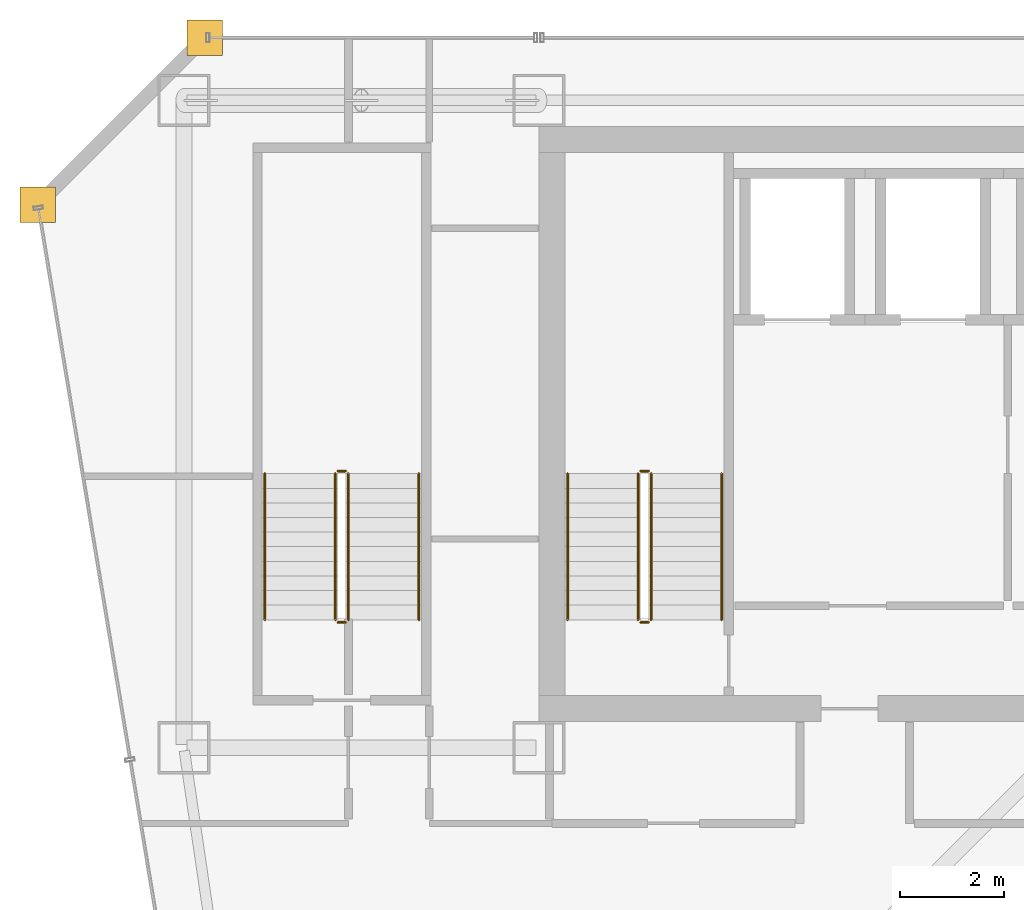
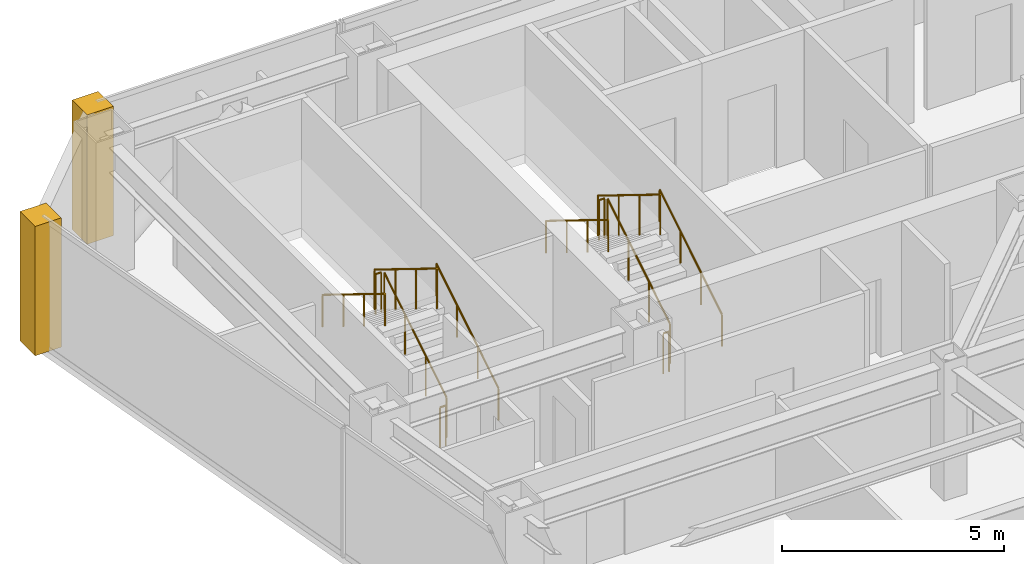
# One storey, part 35 of 36: 12 railings, 2 coverings.
"""IFC4 building model written with IfcOpenShell, lengths in metres."""

from ifc_helpers import new_model, si_unit, direction, frame, origin, origin_2d, place, context, subcontext, project, spatial, polyline, circle, outline, extrude, material, layer, layer_set, type_object, element, save


model = new_model("IFC4")

# Units and contexts
model_context = context("Model", 3, precision=1e-05, world=origin(), true_north=direction((0.0, 1.0)))
body_context = subcontext(model_context, "Body", "Model", "MODEL_VIEW")
ifc_project = project(units=[si_unit("LENGTHUNIT", "METRE"), si_unit("AREAUNIT", "SQUARE_METRE"), si_unit("VOLUMEUNIT", "CUBIC_METRE"), si_unit("PLANEANGLEUNIT", "RADIAN"), si_unit("MASSUNIT", "GRAM", prefix="KILO")], contexts=[model_context])

# Site, building, storey
site_placement = place(None, origin())
site = spatial("IfcSite", under=ifc_project, at=site_placement, CompositionType="ELEMENT")
building_placement = place(site_placement, origin())
building = spatial("IfcBuilding", under=site, at=building_placement, Name="Saevonmaru Cultural Tower", CompositionType="ELEMENT")
storey_placement = place(building_placement, frame((0.0, 0.0, 148.60009765625)))
storey = spatial("IfcBuildingStorey", under=building, at=storey_placement, Name="L32", CompositionType="ELEMENT", Elevation=148.60009765625)

# Coverings
ifc_material_1 = material(Name="Satin Bronze Anodised Aluminium", Category="aluminium")
ifc_layer = layer(ifc_material_1, 0.679931640625, Name="Satin Bronze Anodised Aluminium")
ifc_layer_set = layer_set([ifc_layer], Name="Satin Bronze Anodised Aluminium")
covering_type = type_object("IfcCoveringType", Name="CV-CORNER-CLAD", PredefinedType="CLADDING", material=ifc_layer_set)
covering_1_placement = place(storey_placement, origin())
element("IfcCovering", 1, at=covering_1_placement, inside=storey, type_object=covering_type, Name="L32 Tower Bronze Corner Cladding Pier 11", PredefinedType="CLADDING", context=body_context, shape_type="SweptSolid", body=[
    extrude(outline(polyline([(6.860107421875, 55.659912109375), (7.5400390625, 55.659912109375), (7.5400390625, 56.340087890625), (6.860107421875, 56.340087890625), (6.860107421875, 55.659912109375)])), origin(), (0.0, 0.0, 1.0), 3.5498046875),
])
covering_2_placement = place(storey_placement, origin())
element("IfcCovering", 2, at=covering_2_placement, inside=storey, type_object=covering_type, Name="L32 Tower Bronze Corner Cladding Pier 12", PredefinedType="CLADDING", context=body_context, shape_type="SweptSolid", body=[
    extrude(outline(polyline([(3.659912109375, 52.4599609375), (4.340087890625, 52.4599609375), (4.340087890625, 53.139892578125), (3.659912109375, 53.139892578125), (3.659912109375, 52.4599609375)])), origin(), (0.0, 0.0, 1.0), 3.5498046875),
])

# Railings
ifc_material_2 = material(Name="Architectural Painted Steel", Category="steel")
railing_type_1 = type_object("IfcRailingType", Name="RL-STAIR-GUARD", PredefinedType="GUARDRAIL", material=ifc_material_2)
railing_1_placement = place(storey_placement, frame((15.75, 44.85009765625, 0.172607421875)))
element("IfcRailing", 3, at=railing_1_placement, inside=storey, type_object=railing_type_1, Name="L32 ST-1 stair guard 1", PredefinedType="GUARDRAIL", context=body_context, shape_type="SweptSolid", body=[
    extrude(circle(Radius=0.02392578125, at=origin_2d()), frame((0.0, 0.0, 1.09619140625), z_axis=(0.0, 0.851069175582, 0.525053576669), x_axis=(-1.0, 0.0, 0.0)), (0.0, 0.0, 1.0), 3.289794921875),
    extrude(circle(Radius=0.02099609375, at=origin_2d()), origin(), (0.0, 0.0, 1.0), 1.072021484375),
    extrude(circle(Radius=0.02099609375, at=origin_2d()), frame((0.0, 0.933349609375, 0.57568359375)), (0.0, 0.0, 1.0), 1.072021484375),
    extrude(circle(Radius=0.02099609375, at=origin_2d()), frame((0.0, 1.866455078125, 1.151611328125)), (0.0, 0.0, 1.0), 1.072021484375),
    extrude(circle(Radius=0.02099609375, at=origin_2d()), frame((0.0, 2.7998046875, 1.727294921875)), (0.0, 0.0, 1.0), 1.072021484375),
])
railing_2_placement = place(storey_placement, frame((15.699951171875, 47.699951171875, 1.89990234375)))
element("IfcRailing", 4, at=railing_2_placement, inside=storey, type_object=railing_type_1, Name="L32 ST-1 stair guard 2", PredefinedType="GUARDRAIL", context=body_context, shape_type="SweptSolid", body=[
    extrude(circle(Radius=0.02392578125, at=origin_2d()), frame((0.0, 0.0, 1.09619140625), z_axis=(-1.0, 0.0, 0.0), x_axis=(0.0, -1.0, 0.0)), (0.0, 0.0, 1.0), 0.14990234375),
    extrude(circle(Radius=0.02099609375, at=origin_2d()), origin(), (0.0, 0.0, 1.0), 1.072021484375),
    extrude(circle(Radius=0.02099609375, at=origin_2d()), frame((-0.14990234375, 0.0, 0.0)), (0.0, 0.0, 1.0), 1.072021484375),
])
railing_3_placement = place(storey_placement, frame((15.5, 47.64990234375, 2.072509765625)))
element("IfcRailing", 5, at=railing_3_placement, inside=storey, type_object=railing_type_1, Name="L32 ST-1 stair guard 3", PredefinedType="GUARDRAIL", context=body_context, shape_type="SweptSolid", body=[
    extrude(circle(Radius=0.02392578125, at=origin_2d()), frame((0.0, 0.0, 1.09619140625), z_axis=(0.0, -0.851069175582, 0.525053576669), x_axis=(1.0, 0.0, 0.0)), (0.0, 0.0, 1.0), 3.289794921875),
    extrude(circle(Radius=0.02099609375, at=origin_2d()), origin(), (0.0, 0.0, 1.0), 1.072021484375),
    extrude(circle(Radius=0.02099609375, at=origin_2d()), frame((0.0, -0.933349609375, 0.57568359375)), (0.0, 0.0, 1.0), 1.072021484375),
    extrude(circle(Radius=0.02099609375, at=origin_2d()), frame((0.0, -1.866455078125, 1.151611328125)), (0.0, 0.0, 1.0), 1.072021484375),
    extrude(circle(Radius=0.02099609375, at=origin_2d()), frame((0.0, -2.7998046875, 1.727294921875)), (0.0, 0.0, 1.0), 1.072021484375),
])
railing_4_placement = place(storey_placement, frame((15.699951171875, 44.800048828125, 0.0)))
element("IfcRailing", 6, at=railing_4_placement, inside=storey, type_object=railing_type_1, Name="L32 ST-1 stair guard 4", PredefinedType="GUARDRAIL", context=body_context, shape_type="SweptSolid", body=[
    extrude(circle(Radius=0.02392578125, at=origin_2d()), frame((0.0, 0.0, 1.09619140625), z_axis=(-1.0, 0.0, 0.0), x_axis=(0.0, -1.0, 0.0)), (0.0, 0.0, 1.0), 0.14990234375),
    extrude(circle(Radius=0.02099609375, at=origin_2d()), origin(), (0.0, 0.0, 1.0), 1.072021484375),
    extrude(circle(Radius=0.02099609375, at=origin_2d()), frame((-0.14990234375, 0.0, 0.0)), (0.0, 0.0, 1.0), 1.072021484375),
])
railing_5_placement = place(storey_placement, frame((9.949951171875, 44.85009765625, 0.172607421875)))
element("IfcRailing", 7, at=railing_5_placement, inside=storey, type_object=railing_type_1, Name="L32 ST-3 stair guard 1", PredefinedType="GUARDRAIL", context=body_context, shape_type="SweptSolid", body=[
    extrude(circle(Radius=0.02392578125, at=origin_2d()), frame((0.0, 0.0, 1.09619140625), z_axis=(0.0, 0.851069175582, 0.525053576669), x_axis=(-1.0, 0.0, 0.0)), (0.0, 0.0, 1.0), 3.289794921875),
    extrude(circle(Radius=0.02099609375, at=origin_2d()), origin(), (0.0, 0.0, 1.0), 1.072021484375),
    extrude(circle(Radius=0.02099609375, at=origin_2d()), frame((0.0, 0.933349609375, 0.57568359375)), (0.0, 0.0, 1.0), 1.072021484375),
    extrude(circle(Radius=0.02099609375, at=origin_2d()), frame((0.0, 1.866455078125, 1.151611328125)), (0.0, 0.0, 1.0), 1.072021484375),
    extrude(circle(Radius=0.02099609375, at=origin_2d()), frame((0.0, 2.7998046875, 1.727294921875)), (0.0, 0.0, 1.0), 1.072021484375),
])
railing_6_placement = place(storey_placement, frame((9.89990234375, 47.699951171875, 1.89990234375)))
element("IfcRailing", 8, at=railing_6_placement, inside=storey, type_object=railing_type_1, Name="L32 ST-3 stair guard 2", PredefinedType="GUARDRAIL", context=body_context, shape_type="SweptSolid", body=[
    extrude(circle(Radius=0.02392578125, at=origin_2d()), frame((0.0, 0.0, 1.09619140625), z_axis=(-1.0, 0.0, 0.0), x_axis=(0.0, -1.0, 0.0)), (0.0, 0.0, 1.0), 0.14990234375),
    extrude(circle(Radius=0.02099609375, at=origin_2d()), origin(), (0.0, 0.0, 1.0), 1.072021484375),
    extrude(circle(Radius=0.02099609375, at=origin_2d()), frame((-0.14990234375, 0.0, 0.0)), (0.0, 0.0, 1.0), 1.072021484375),
])
railing_7_placement = place(storey_placement, frame((9.699951171875, 47.64990234375, 2.072509765625)))
element("IfcRailing", 9, at=railing_7_placement, inside=storey, type_object=railing_type_1, Name="L32 ST-3 stair guard 3", PredefinedType="GUARDRAIL", context=body_context, shape_type="SweptSolid", body=[
    extrude(circle(Radius=0.02392578125, at=origin_2d()), frame((0.0, 0.0, 1.09619140625), z_axis=(0.0, -0.851069175582, 0.525053576669), x_axis=(1.0, 0.0, 0.0)), (0.0, 0.0, 1.0), 3.289794921875),
    extrude(circle(Radius=0.02099609375, at=origin_2d()), origin(), (0.0, 0.0, 1.0), 1.072021484375),
    extrude(circle(Radius=0.02099609375, at=origin_2d()), frame((0.0, -0.933349609375, 0.57568359375)), (0.0, 0.0, 1.0), 1.072021484375),
    extrude(circle(Radius=0.02099609375, at=origin_2d()), frame((0.0, -1.866455078125, 1.151611328125)), (0.0, 0.0, 1.0), 1.072021484375),
    extrude(circle(Radius=0.02099609375, at=origin_2d()), frame((0.0, -2.7998046875, 1.727294921875)), (0.0, 0.0, 1.0), 1.072021484375),
])
railing_8_placement = place(storey_placement, frame((9.89990234375, 44.800048828125, 0.0)))
element("IfcRailing", 10, at=railing_8_placement, inside=storey, type_object=railing_type_1, Name="L32 ST-3 stair guard 4", PredefinedType="GUARDRAIL", context=body_context, shape_type="SweptSolid", body=[
    extrude(circle(Radius=0.02392578125, at=origin_2d()), frame((0.0, 0.0, 1.09619140625), z_axis=(-1.0, 0.0, 0.0), x_axis=(0.0, -1.0, 0.0)), (0.0, 0.0, 1.0), 0.14990234375),
    extrude(circle(Radius=0.02099609375, at=origin_2d()), origin(), (0.0, 0.0, 1.0), 1.072021484375),
    extrude(circle(Radius=0.02099609375, at=origin_2d()), frame((-0.14990234375, 0.0, 0.0)), (0.0, 0.0, 1.0), 1.072021484375),
])
railing_type_2 = type_object("IfcRailingType", Name="RL-STAIR-HANDRAIL", PredefinedType="HANDRAIL", material=ifc_material_1)
railing_9_placement = place(storey_placement, frame((17.10009765625, 44.85009765625, 0.172607421875)))
element("IfcRailing", 11, at=railing_9_placement, inside=storey, type_object=railing_type_2, Name="L32 ST-1 stair handrail 1", PredefinedType="HANDRAIL", context=body_context, shape_type="SweptSolid", body=[
    extrude(circle(Radius=0.02392578125, at=origin_2d()), frame((0.0, 0.0, 0.8759765625), z_axis=(0.0, 0.851069175582, 0.525053576669), x_axis=(-1.0, 0.0, 0.0)), (0.0, 0.0, 1.0), 3.289794921875),
    extrude(circle(Radius=0.02099609375, at=origin_2d()), origin(), (0.0, 0.0, 1.0), 0.851806640625),
    extrude(circle(Radius=0.02099609375, at=origin_2d()), frame((0.0, 0.933349609375, 0.57568359375)), (0.0, 0.0, 1.0), 0.851806640625),
    extrude(circle(Radius=0.02099609375, at=origin_2d()), frame((0.0, 1.866455078125, 1.151611328125)), (0.0, 0.0, 1.0), 0.851806640625),
    extrude(circle(Radius=0.02099609375, at=origin_2d()), frame((0.0, 2.7998046875, 1.727294921875)), (0.0, 0.0, 1.0), 0.851806640625),
])
railing_10_placement = place(storey_placement, frame((14.14990234375, 47.64990234375, 2.072509765625)))
element("IfcRailing", 12, at=railing_10_placement, inside=storey, type_object=railing_type_2, Name="L32 ST-1 stair handrail 2", PredefinedType="HANDRAIL", context=body_context, shape_type="SweptSolid", body=[
    extrude(circle(Radius=0.02392578125, at=origin_2d()), frame((0.0, 0.0, 0.8759765625), z_axis=(0.0, -0.851069175582, 0.525053576669), x_axis=(1.0, 0.0, 0.0)), (0.0, 0.0, 1.0), 3.289794921875),
    extrude(circle(Radius=0.02099609375, at=origin_2d()), origin(), (0.0, 0.0, 1.0), 0.851806640625),
    extrude(circle(Radius=0.02099609375, at=origin_2d()), frame((0.0, -0.933349609375, 0.57568359375)), (0.0, 0.0, 1.0), 0.851806640625),
    extrude(circle(Radius=0.02099609375, at=origin_2d()), frame((0.0, -1.866455078125, 1.151611328125)), (0.0, 0.0, 1.0), 0.851806640625),
    extrude(circle(Radius=0.02099609375, at=origin_2d()), frame((0.0, -2.7998046875, 1.727294921875)), (0.0, 0.0, 1.0), 0.851806640625),
])
railing_11_placement = place(storey_placement, frame((11.300048828125, 44.85009765625, 0.172607421875)))
element("IfcRailing", 13, at=railing_11_placement, inside=storey, type_object=railing_type_2, Name="L32 ST-3 stair handrail 1", PredefinedType="HANDRAIL", context=body_context, shape_type="SweptSolid", body=[
    extrude(circle(Radius=0.02392578125, at=origin_2d()), frame((0.0, 0.0, 0.8759765625), z_axis=(0.0, 0.851069175582, 0.525053576669), x_axis=(-1.0, 0.0, 0.0)), (0.0, 0.0, 1.0), 3.289794921875),
    extrude(circle(Radius=0.02099609375, at=origin_2d()), origin(), (0.0, 0.0, 1.0), 0.851806640625),
    extrude(circle(Radius=0.02099609375, at=origin_2d()), frame((0.0, 0.933349609375, 0.57568359375)), (0.0, 0.0, 1.0), 0.851806640625),
    extrude(circle(Radius=0.02099609375, at=origin_2d()), frame((0.0, 1.866455078125, 1.151611328125)), (0.0, 0.0, 1.0), 0.851806640625),
    extrude(circle(Radius=0.02099609375, at=origin_2d()), frame((0.0, 2.7998046875, 1.727294921875)), (0.0, 0.0, 1.0), 0.851806640625),
])
railing_12_placement = place(storey_placement, frame((8.35009765625, 47.64990234375, 2.072509765625)))
element("IfcRailing", 14, at=railing_12_placement, inside=storey, type_object=railing_type_2, Name="L32 ST-3 stair handrail 2", PredefinedType="HANDRAIL", context=body_context, shape_type="SweptSolid", body=[
    extrude(circle(Radius=0.02392578125, at=origin_2d()), frame((0.0, 0.0, 0.8759765625), z_axis=(0.0, -0.851069175582, 0.525053576669), x_axis=(1.0, 0.0, 0.0)), (0.0, 0.0, 1.0), 3.289794921875),
    extrude(circle(Radius=0.02099609375, at=origin_2d()), origin(), (0.0, 0.0, 1.0), 0.851806640625),
    extrude(circle(Radius=0.02099609375, at=origin_2d()), frame((0.0, -0.933349609375, 0.57568359375)), (0.0, 0.0, 1.0), 0.851806640625),
    extrude(circle(Radius=0.02099609375, at=origin_2d()), frame((0.0, -1.866455078125, 1.151611328125)), (0.0, 0.0, 1.0), 0.851806640625),
    extrude(circle(Radius=0.02099609375, at=origin_2d()), frame((0.0, -2.7998046875, 1.727294921875)), (0.0, 0.0, 1.0), 0.851806640625),
])

save(model, "model.ifc")
